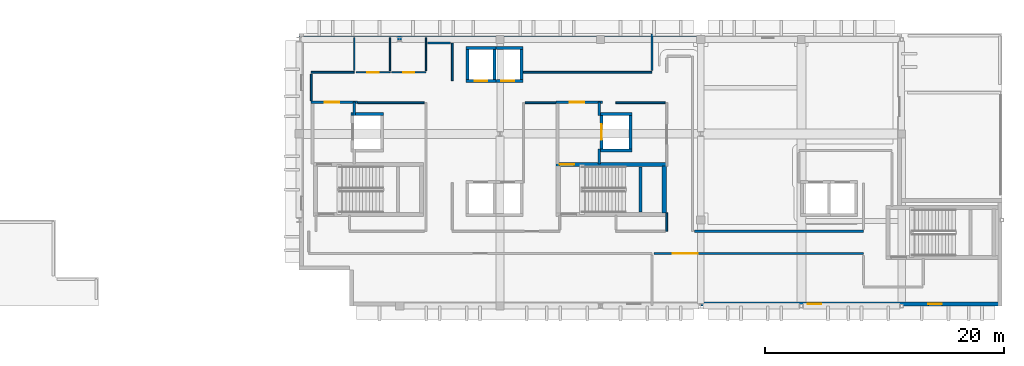
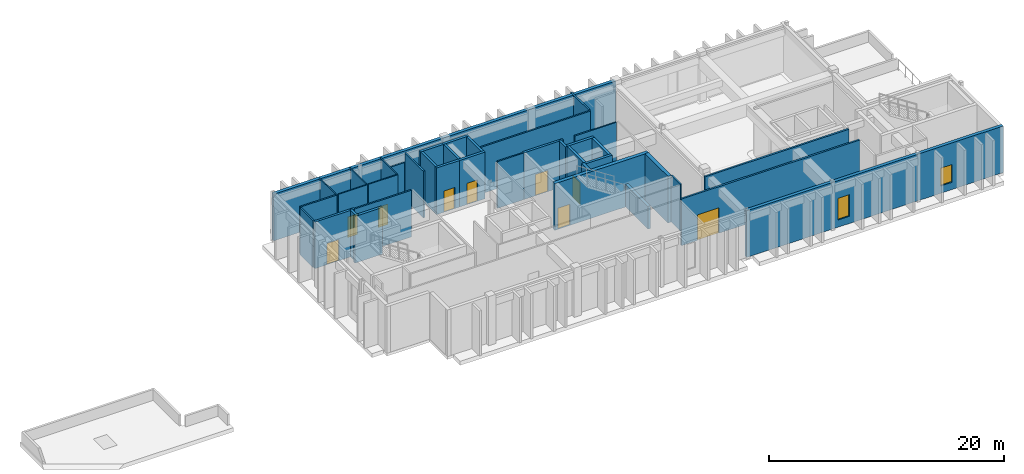
# One storey, part 6 of 9: 39 walls, 9 doors, 2 windows, 11 openings.
"""IFC4 building model written with IfcOpenShell, lengths in metres."""

from ifc_helpers import new_model, si_unit, direction, frame, frame_2d, origin, place, context, subcontext, project, spatial, rectangle, extrude, material, layer, layer_set, type_object, element, fill, save


model = new_model("IFC4")

# Units and contexts
model_context = context("Model", 3, precision=1e-05, world=origin(), true_north=direction((0.0, 1.0)))
body_context = subcontext(model_context, "Body", "Model", "MODEL_VIEW")
ifc_project = project(units=[si_unit("LENGTHUNIT", "METRE"), si_unit("AREAUNIT", "SQUARE_METRE"), si_unit("VOLUMEUNIT", "CUBIC_METRE"), si_unit("PLANEANGLEUNIT", "RADIAN"), si_unit("MASSUNIT", "GRAM", prefix="KILO")], contexts=[model_context])

# Site, building, storey
site_placement = place(None, origin())
site = spatial("IfcSite", under=ifc_project, at=site_placement, CompositionType="ELEMENT")
building_placement = place(site_placement, origin())
building = spatial("IfcBuilding", under=site, at=building_placement, Name="Quendrovan Civic Courthouse", CompositionType="ELEMENT")
storey_placement = place(building_placement, frame((0.0, 0.0, 30.60009765625)))
storey = spatial("IfcBuildingStorey", under=building, at=storey_placement, Name="L07", CompositionType="ELEMENT", Elevation=30.60009765625)

# Walls
ifc_material_1 = material(Name="Acoustic gypsum stud partition")
ifc_layer_1 = layer(ifc_material_1, 0.139892578125, Name="Acoustic gypsum stud partition")
ifc_layer_set_1 = layer_set([ifc_layer_1], Name="Acoustic gypsum stud partition")
wall_type_1 = type_object("IfcWallType", Name="WL-CHM-140", PredefinedType="PARTITIONING", material=ifc_layer_set_1)
wall_1_placement = place(storey_placement, frame((64.35009765625, 95.39990234375, 0.0), z_axis=(0.0, 0.0, 1.0), x_axis=(0.0, -1.0, 0.0)))
element("IfcWall", 1, at=wall_1_placement, inside=storey, type_object=wall_type_1, Name="L07 Judicial Conference Room Partition 0828", PredefinedType="PARTITIONING", context=body_context, shape_type="SweptSolid", body=[
    extrude(rectangle(XDim=1.5498046875, YDim=0.139892578125, at=frame_2d((0.77490234375, 0.0))), origin(), (0.0, 0.0, 1.0), 4.83984375),
])
wall_2_placement = place(storey_placement, frame((60.10009765625, 104.60009765625, 0.0), z_axis=(0.0, 0.0, 1.0), x_axis=(1.0, 0.0, 0.0)))
element("IfcWall", 2, at=wall_2_placement, inside=storey, type_object=wall_type_1, Name="L07 Judicial Conference Room Partition 0837", PredefinedType="PARTITIONING", context=body_context, shape_type="SweptSolid", body=[
    extrude(rectangle(XDim=4.099853515625, YDim=0.139892578125, at=frame_2d((2.0498046875, 0.0))), origin(), (0.0, 0.0, 1.0), 4.83984375),
])
wall_3_placement = place(storey_placement, frame((52.5, 104.60009765625, 0.0), z_axis=(0.0, 0.0, 1.0), x_axis=(1.0, 0.0, 0.0)))
element("IfcWall", 3, at=wall_3_placement, inside=storey, type_object=wall_type_1, Name="L07 Appellate Judges' Chambers Partition 0850", PredefinedType="PARTITIONING", context=body_context, shape_type="SweptSolid", body=[
    extrude(rectangle(XDim=2.580078125, YDim=0.139892578125, at=frame_2d((1.2900390625, 0.0))), origin(), (0.0, 0.0, 1.0), 4.83984375),
])

# Wall, opening, door
ifc_material_2 = material(Name="Concrete C45/55", Category="concrete")
ifc_layer_2 = layer(ifc_material_2, 0.35009765625, Name="Concrete C45/55")
ifc_layer_set_2 = layer_set([ifc_layer_2], Name="Concrete C45/55")
wall_type_2 = type_object("IfcWallType", Name="WL-CORE-350", PredefinedType="SHEAR", material=ifc_layer_set_2)
wall_4_placement = place(storey_placement, frame((64.31005859375, 99.43505859375, 0.0), z_axis=(0.0, 0.0, 1.0), x_axis=(-1.0, 0.0, 0.0)))
wall_4 = element("IfcWall", 4, at=wall_4_placement, inside=storey, type_object=wall_type_2, Name="L07 Core Shear Wall ST2-N", PredefinedType="SHEAR", context=body_context, shape_type="SweptSolid", body=[
    extrude(rectangle(XDim=9.219970703125, YDim=0.35009765625, at=frame_2d((4.60986328125, 0.0))), origin(), (0.0, 0.0, 1.0), 4.83984375),
])
opening_1_placement = place(wall_4_placement, frame((7.719970703125, 0.0, 0.0)))
opening_1 = element("IfcOpeningElement", 5, at=opening_1_placement, cuts=wall_4, Name="Opening DFF-ST2-L07", PredefinedType="OPENING", context=body_context, shape_type="SweptSolid", body=[
    extrude(rectangle(XDim=1.199951171875, YDim=2.199951171875, at=frame_2d((0.60009765625, 1.10009765625))), frame((0.0, 0.18505859375, 0.0), z_axis=(0.0, -1.0, 0.0), x_axis=(1.0, 0.0, 0.0)), (0.0, 0.0, 1.0), 0.3701171875),
])
ifc_material_3 = material(Name="Painted galvanized hollow-metal steel", Category="steel")
door_type_1 = type_object("IfcDoorType", Name="DR-FFLOB-1200", OperationType="NOTDEFINED", PredefinedType="DOOR", material=ifc_material_3)
door_1_placement = place(opening_1_placement, origin())
door_1 = element("IfcDoor", 6, at=door_1_placement, inside=storey, type_object=door_type_1, Name="L07 Firefighting Lobby FL2 Direct Stair ST2 Door", OperationType="SINGLE_SWING_RIGHT", OverallHeight=2.199951171875, OverallWidth=1.199951171875, PredefinedType="DOOR", context=body_context, shape_type="SweptSolid", body=[
    extrude(rectangle(XDim=1.199951171875, YDim=2.199951171875, at=frame_2d((0.60009765625, 1.10009765625))), frame((0.0, 0.02490234375, 0.0), z_axis=(0.0, -1.0, 0.0), x_axis=(1.0, 0.0, 0.0)), (0.0, 0.0, 1.0), 0.050048828125),
])
fill(opening_1, door_1)

# Wall
wall_5_placement = place(storey_placement, frame((64.135009765625, 99.300048828125, 0.0), z_axis=(0.0, 0.0, 1.0), x_axis=(0.0, -1.0, 0.0)))
element("IfcWall", 7, at=wall_5_placement, inside=storey, type_object=wall_type_2, Name="L07 Core Shear Wall ST2-E", PredefinedType="SHEAR", context=body_context, shape_type="SweptSolid", body=[
    extrude(rectangle(XDim=3.900146484375, YDim=0.35009765625, at=frame_2d((1.9501953125, 0.0))), origin(), (0.0, 0.0, 1.0), 4.83984375),
])

# Wall, opening, door
ifc_material_4 = material(Name="Acoustic gypsum and mineral wool partition")
ifc_layer_3 = layer(ifc_material_4, 0.179931640625, Name="Acoustic gypsum and mineral wool partition")
ifc_layer_set_3 = layer_set([ifc_layer_3], Name="Acoustic gypsum and mineral wool partition")
wall_type_3 = type_object("IfcWallType", Name="WL-CRT-AC180", PredefinedType="PARTITIONING", material=ifc_layer_set_3)
wall_6_placement = place(storey_placement, frame((63.264892578125, 92.0, 0.0), z_axis=(0.0, 0.0, 1.0), x_axis=(1.0, 0.0, 0.0)))
wall_6 = element("IfcWall", 8, at=wall_6_placement, inside=storey, type_object=wall_type_3, Name="L07 Appellate Courtroom Partition 0822", PredefinedType="PARTITIONING", context=body_context, shape_type="SweptSolid", body=[
    extrude(rectangle(XDim=17.53515625, YDim=0.179931640625, at=frame_2d((8.767578125, 0.0))), origin(), (0.0, 0.0, 1.0), 4.83984375),
])
opening_2_placement = place(wall_6_placement, frame((1.580078125, 0.0, 0.0)))
opening_2 = element("IfcOpeningElement", 9, at=opening_2_placement, cuts=wall_6, Name="Opening D-L07-117", PredefinedType="OPENING", context=body_context, shape_type="SweptSolid", body=[
    extrude(rectangle(XDim=2.10009765625, YDim=2.64990234375, at=frame_2d((1.050048828125, 1.324951171875))), frame((0.0, 0.10009765625, 0.0), z_axis=(0.0, -1.0, 0.0), x_axis=(1.0, 0.0, 0.0)), (0.0, 0.0, 1.0), 0.199951171875),
])
ifc_material_5 = material(Name="Acoustic solid Western Red Cedar timber door", Category="wood")
door_type_2 = type_object("IfcDoorType", Name="DR-CRT-DBL2100", OperationType="NOTDEFINED", PredefinedType="DOOR", material=ifc_material_5)
door_2_placement = place(opening_2_placement, origin())
door_2 = element("IfcDoor", 10, at=door_2_placement, inside=storey, type_object=door_type_2, Name="L07 Appellate Courtroom Door D-L07-117", OperationType="SINGLE_SWING_RIGHT", OverallHeight=2.64990234375, OverallWidth=2.10009765625, PredefinedType="DOOR", context=body_context, shape_type="SweptSolid", body=[
    extrude(rectangle(XDim=2.10009765625, YDim=2.64990234375, at=frame_2d((1.050048828125, 1.324951171875))), frame((0.0, 0.02490234375, 0.0), z_axis=(0.0, -1.0, 0.0), x_axis=(1.0, 0.0, 0.0)), (0.0, 0.0, 1.0), 0.050048828125),
])
fill(opening_2, door_2)

# Wall
wall_7_placement = place(storey_placement, frame((80.800048828125, 93.85009765625, 0.0), z_axis=(0.0, 0.0, 1.0), x_axis=(-1.0, 0.0, 0.0)))
element("IfcWall", 11, at=wall_7_placement, inside=storey, type_object=wall_type_3, Name="L07 Appellate Courtroom Partition 0824", PredefinedType="PARTITIONING", context=body_context, shape_type="SweptSolid", body=[
    extrude(rectangle(XDim=14.130126953125, YDim=0.179931640625, at=frame_2d((7.06494140625, 0.0))), origin(), (0.0, 0.0, 1.0), 4.83984375),
])

# Wall, openings, windows
ifc_material_6 = material(Name="Precast concrete C45/55", Category="concrete")
ifc_layer_4 = layer(ifc_material_6, 0.320068359375, Name="Precast concrete C45/55")
ifc_layer_set_4 = layer_set([ifc_layer_4], Name="Precast concrete C45/55")
wall_type_4 = type_object("IfcWallType", Name="WL-EXT-PC320", PredefinedType="SOLIDWALL", material=ifc_layer_set_4)
wall_8_placement = place(storey_placement, frame((92.39990234375, 87.780029296875, 0.0), z_axis=(0.0, 0.0, 1.0), x_axis=(-1.0, 0.0, 0.0)))
wall_8 = element("IfcWall", 12, at=wall_8_placement, inside=storey, type_object=wall_type_4, Name="L07 Exterior Precast Concrete Wall 507", PredefinedType="SOLIDWALL", context=body_context, shape_type="SweptSolid", body=[
    extrude(rectangle(XDim=25.199951171875, YDim=0.320068359375, at=frame_2d((12.60009765625, 0.0))), origin(), (0.0, 0.0, 1.0), 4.83984375),
])
opening_3_placement = place(wall_8_placement, frame((5.0400390625, 0.0, 0.75)))
opening_3 = element("IfcOpeningElement", 13, at=opening_3_placement, cuts=wall_8, Name="Opening W16", PredefinedType="OPENING", context=body_context, shape_type="SweptSolid", body=[
    extrude(rectangle(XDim=1.1201171875, YDim=1.85009765625, at=frame_2d((0.56005859375, 0.925048828125))), frame((0.0, 0.169921875, 0.0), z_axis=(0.0, -1.0, 0.0), x_axis=(1.0, 0.0, 0.0)), (0.0, 0.0, 1.0), 0.340087890625),
])
opening_4_placement = place(wall_8_placement, frame((15.1201171875, 0.0, 0.75)))
opening_4 = element("IfcOpeningElement", 14, at=opening_4_placement, cuts=wall_8, Name="Opening W17", PredefinedType="OPENING", context=body_context, shape_type="SweptSolid", body=[
    extrude(rectangle(XDim=1.1201171875, YDim=2.25, at=frame_2d((0.56005859375, 1.125))), frame((0.0, 0.169921875, 0.0), z_axis=(0.0, -1.0, 0.0), x_axis=(1.0, 0.0, 0.0)), (0.0, 0.0, 1.0), 0.340087890625),
])
ifc_material_7 = material(Name="Laminated hurricane-impact low-E glass", Category="glass")
window_type_1 = type_object("IfcWindowType", Name="WIN-SLT-16", PartitioningType="SINGLE_PANEL", PredefinedType="WINDOW", material=ifc_material_7)
window_1_placement = place(opening_3_placement, origin())
window_1 = element("IfcWindow", 15, at=window_1_placement, inside=storey, type_object=window_type_1, Name="L07 Courtroom Shaded Slot Window 0048", OverallHeight=1.85009765625, OverallWidth=1.1201171875, PartitioningType="SINGLE_PANEL", PredefinedType="WINDOW", context=body_context, shape_type="SweptSolid", body=[
    extrude(rectangle(XDim=1.1201171875, YDim=1.85009765625, at=frame_2d((0.56005859375, 0.925048828125))), frame((0.0, 0.030029296875, 0.0), z_axis=(0.0, -1.0, 0.0), x_axis=(1.0, 0.0, 0.0)), (0.0, 0.0, 1.0), 0.06005859375),
])
fill(opening_3, window_1)
window_type_2 = type_object("IfcWindowType", Name="WIN-SLT-17", PartitioningType="SINGLE_PANEL", PredefinedType="WINDOW", material=ifc_material_7)
window_2_placement = place(opening_4_placement, origin())
window_2 = element("IfcWindow", 16, at=window_2_placement, inside=storey, type_object=window_type_2, Name="L07 Courtroom Shaded Slot Window 0049", OverallHeight=2.25, OverallWidth=1.1201171875, PartitioningType="SINGLE_PANEL", PredefinedType="WINDOW", context=body_context, shape_type="SweptSolid", body=[
    extrude(rectangle(XDim=1.1201171875, YDim=2.25, at=frame_2d((0.56005859375, 1.125))), frame((0.0, 0.030029296875, 0.0), z_axis=(0.0, -1.0, 0.0), x_axis=(1.0, 0.0, 0.0)), (0.0, 0.0, 1.0), 0.06005859375),
])
fill(opening_4, window_2)

# Wall
wall_9_placement = place(storey_placement, frame((33.60009765625, 110.02001953125, 0.0), z_axis=(0.0, 0.0, 1.0), x_axis=(1.0, 0.0, 0.0)))
element("IfcWall", 17, at=wall_9_placement, inside=storey, type_object=wall_type_4, Name="L07 Exterior Precast Concrete Wall 512", PredefinedType="SOLIDWALL", context=body_context, shape_type="SweptSolid", body=[
    extrude(rectangle(XDim=33.599853515625, YDim=0.320068359375, at=frame_2d((16.7998046875, 0.0))), origin(), (0.0, 0.0, 1.0), 4.83984375),
])

# Wall, opening, door
ifc_material_8 = material(Name="Concrete C40/50", Category="concrete")
ifc_layer_5 = layer(ifc_material_8, 0.22998046875, Name="Concrete C40/50")
ifc_layer_set_5 = layer_set([ifc_layer_5], Name="Concrete C40/50")
wall_type_5 = type_object("IfcWallType", Name="WL-FFLOB-230", PredefinedType="PARTITIONING", material=ifc_layer_set_5)
wall_10_placement = place(storey_placement, frame((34.590087890625, 104.64990234375, 0.0), z_axis=(0.0, 0.0, 1.0), x_axis=(1.0, 0.0, 0.0)))
wall_10 = element("IfcWall", 18, at=wall_10_placement, inside=storey, type_object=wall_type_5, Name="L07 Firefighting Lift Lobby FL1 Wall N", PredefinedType="PARTITIONING", context=body_context, shape_type="SweptSolid", body=[
    extrude(rectangle(XDim=3.889892578125, YDim=0.22998046875, at=frame_2d((1.94482421875, 0.0))), origin(), (0.0, 0.0, 1.0), 4.83984375),
])
opening_5_placement = place(wall_10_placement, frame((1.14990234375, 0.0, 0.0)))
opening_5 = element("IfcOpeningElement", 19, at=opening_5_placement, cuts=wall_10, Name="Opening DF-FL1-L07N", PredefinedType="OPENING", context=body_context, shape_type="SweptSolid", body=[
    extrude(rectangle(XDim=1.199951171875, YDim=2.199951171875, at=frame_2d((0.60009765625, 1.10009765625))), frame((0.0, 0.125, 0.0), z_axis=(0.0, -1.0, 0.0), x_axis=(1.0, 0.0, 0.0)), (0.0, 0.0, 1.0), 0.25),
])
door_3_placement = place(opening_5_placement, origin())
door_3 = element("IfcDoor", 20, at=door_3_placement, inside=storey, type_object=door_type_1, Name="L07 Firefighting Lobby FL1 Fire Door N", OperationType="SINGLE_SWING_LEFT", OverallHeight=2.199951171875, OverallWidth=1.199951171875, PredefinedType="DOOR", context=body_context, shape_type="SweptSolid", body=[
    extrude(rectangle(XDim=1.199951171875, YDim=2.199951171875, at=frame_2d((0.60009765625, 1.10009765625))), frame((0.0, 0.02490234375, 0.0), z_axis=(0.0, -1.0, 0.0), x_axis=(1.0, 0.0, 0.0)), (0.0, 0.0, 1.0), 0.050048828125),
])
fill(opening_5, door_3)

# Wall
wall_11_placement = place(storey_placement, frame((38.199951171875, 104.64990234375, 0.0), z_axis=(0.0, 0.0, 1.0), x_axis=(0.0, -1.0, 0.0)))
element("IfcWall", 21, at=wall_11_placement, inside=storey, type_object=wall_type_5, Name="L07 Firefighting Lift Lobby FL1 Wall EN", PredefinedType="PARTITIONING", context=body_context, shape_type="SweptSolid", body=[
    extrude(rectangle(XDim=1.099853515625, YDim=0.22998046875, at=frame_2d((0.5498046875, 0.0))), origin(), (0.0, 0.0, 1.0), 4.83984375),
])

# Wall, opening, door
wall_12_placement = place(storey_placement, frame((55.090087890625, 104.64990234375, 0.0), z_axis=(0.0, 0.0, 1.0), x_axis=(1.0, 0.0, 0.0)))
wall_12 = element("IfcWall", 22, at=wall_12_placement, inside=storey, type_object=wall_type_5, Name="L07 Firefighting Lift Lobby FL2 Wall N", PredefinedType="PARTITIONING", context=body_context, shape_type="SweptSolid", body=[
    extrude(rectangle(XDim=3.889892578125, YDim=0.22998046875, at=frame_2d((1.94482421875, 0.0))), origin(), (0.0, 0.0, 1.0), 4.83984375),
])
opening_6_placement = place(wall_12_placement, frame((1.14990234375, 0.0, 0.0)))
opening_6 = element("IfcOpeningElement", 23, at=opening_6_placement, cuts=wall_12, Name="Opening DF-FL2-L07N", PredefinedType="OPENING", context=body_context, shape_type="SweptSolid", body=[
    extrude(rectangle(XDim=1.199951171875, YDim=2.199951171875, at=frame_2d((0.60009765625, 1.10009765625))), frame((0.0, 0.125, 0.0), z_axis=(0.0, -1.0, 0.0), x_axis=(1.0, 0.0, 0.0)), (0.0, 0.0, 1.0), 0.25),
])
door_4_placement = place(opening_6_placement, origin())
door_4 = element("IfcDoor", 24, at=door_4_placement, inside=storey, type_object=door_type_1, Name="L07 Firefighting Lobby FL2 Fire Door N", OperationType="SINGLE_SWING_LEFT", OverallHeight=2.199951171875, OverallWidth=1.199951171875, PredefinedType="DOOR", context=body_context, shape_type="SweptSolid", body=[
    extrude(rectangle(XDim=1.199951171875, YDim=2.199951171875, at=frame_2d((0.60009765625, 1.10009765625))), frame((0.0, 0.02490234375, 0.0), z_axis=(0.0, -1.0, 0.0), x_axis=(1.0, 0.0, 0.0)), (0.0, 0.0, 1.0), 0.050048828125),
])
fill(opening_6, door_4)

# Walls
wall_13_placement = place(storey_placement, frame((58.699951171875, 104.64990234375, 0.0), z_axis=(0.0, 0.0, 1.0), x_axis=(0.0, -1.0, 0.0)))
element("IfcWall", 25, at=wall_13_placement, inside=storey, type_object=wall_type_5, Name="L07 Firefighting Lift Lobby FL2 Wall EN", PredefinedType="PARTITIONING", context=body_context, shape_type="SweptSolid", body=[
    extrude(rectangle(XDim=1.099853515625, YDim=0.22998046875, at=frame_2d((0.5498046875, 0.0))), origin(), (0.0, 0.0, 1.0), 4.83984375),
])
wall_14_placement = place(storey_placement, frame((58.699951171875, 100.75, 0.0), z_axis=(0.0, 0.0, 1.0), x_axis=(0.0, -1.0, 0.0)))
element("IfcWall", 26, at=wall_14_placement, inside=storey, type_object=wall_type_5, Name="L07 Firefighting Lift Lobby FL2 Wall ES", PredefinedType="PARTITIONING", context=body_context, shape_type="SweptSolid", body=[
    extrude(rectangle(XDim=1.25, YDim=0.22998046875, at=frame_2d((0.625, 0.0))), origin(), (0.0, 0.0, 1.0), 4.83984375),
])
ifc_layer_6 = layer(ifc_material_1, 0.14990234375, Name="Acoustic gypsum stud partition")
ifc_layer_set_6 = layer_set([ifc_layer_6], Name="Acoustic gypsum stud partition")
wall_type_6 = type_object("IfcWallType", Name="WL-JURY-150", PredefinedType="PARTITIONING", material=ifc_layer_set_6)
wall_15_placement = place(storey_placement, frame((63.110107421875, 107.14990234375, 0.0), z_axis=(0.0, 0.0, 1.0), x_axis=(-1.0, 0.0, 0.0)))
element("IfcWall", 27, at=wall_15_placement, inside=storey, type_object=wall_type_6, Name="L07 Jury Room Partition 0825", PredefinedType="PARTITIONING", context=body_context, shape_type="SweptSolid", body=[
    extrude(rectangle(XDim=10.760009765625, YDim=0.14990234375, at=frame_2d((5.3798828125, 0.0))), origin(), (0.0, 0.0, 1.0), 4.83984375),
])
wall_16_placement = place(storey_placement, frame((38.47998046875, 104.60009765625, 0.0), z_axis=(0.0, 0.0, 1.0), x_axis=(1.0, 0.0, 0.0)))
element("IfcWall", 28, at=wall_16_placement, inside=storey, type_object=wall_type_6, Name="L07 Jury Room Partition 0833", PredefinedType="PARTITIONING", context=body_context, shape_type="SweptSolid", body=[
    extrude(rectangle(XDim=5.56494140625, YDim=0.14990234375, at=frame_2d((2.782470703125, 0.0))), origin(), (0.0, 0.0, 1.0), 4.83984375),
])
wall_17_placement = place(storey_placement, frame((38.199951171875, 107.14990234375, 0.0), z_axis=(0.0, 0.0, 1.0), x_axis=(-1.0, 0.0, 0.0)))
element("IfcWall", 29, at=wall_17_placement, inside=storey, type_object=wall_type_6, Name="L07 Jury Room Partition 0841", PredefinedType="PARTITIONING", context=body_context, shape_type="SweptSolid", body=[
    extrude(rectangle(XDim=3.599853515625, YDim=0.14990234375, at=frame_2d((1.7998046875, 0.0))), origin(), (0.0, 0.0, 1.0), 4.83984375),
])
wall_18_placement = place(storey_placement, frame((63.110107421875, 110.340087890625, 0.0), z_axis=(0.0, 0.0, 1.0), x_axis=(0.0, -1.0, 0.0)))
element("IfcWall", 30, at=wall_18_placement, inside=storey, type_object=wall_type_6, Name="L07 Jury Room Partition 0842", PredefinedType="PARTITIONING", context=body_context, shape_type="SweptSolid", body=[
    extrude(rectangle(XDim=3.03515625, YDim=0.14990234375, at=frame_2d((1.517578125, 0.0))), origin(), (0.0, 0.0, 1.0), 4.83984375),
])
wall_19_placement = place(storey_placement, frame((46.39990234375, 106.449951171875, 0.0), z_axis=(0.0, 0.0, 1.0), x_axis=(0.0, 1.0, 0.0)))
element("IfcWall", 31, at=wall_19_placement, inside=storey, type_object=wall_type_6, Name="L07 Jury Room Partition 0843", PredefinedType="PARTITIONING", context=body_context, shape_type="SweptSolid", body=[
    extrude(rectangle(XDim=3.150146484375, YDim=0.14990234375, at=frame_2d((1.5751953125, 0.0))), origin(), (0.0, 0.0, 1.0), 4.83984375),
])
wall_20_placement = place(storey_placement, frame((34.60009765625, 106.9951171875, 0.0), z_axis=(0.0, 0.0, 1.0), x_axis=(0.0, -1.0, 0.0)))
element("IfcWall", 32, at=wall_20_placement, inside=storey, type_object=wall_type_6, Name="L07 Jury Room Partition 0852", PredefinedType="PARTITIONING", context=body_context, shape_type="SweptSolid", body=[
    extrude(rectangle(XDim=2.22509765625, YDim=0.14990234375, at=frame_2d((1.112548828125, 0.0))), origin(), (0.0, 0.0, 1.0), 4.83984375),
])
wall_21_placement = place(storey_placement, frame((46.2451171875, 109.60009765625, 0.0), z_axis=(0.0, 0.0, 1.0), x_axis=(-1.0, 0.0, 0.0)))
element("IfcWall", 33, at=wall_21_placement, inside=storey, type_object=wall_type_6, Name="L07 Jury Room Partition 0854", PredefinedType="PARTITIONING", context=body_context, shape_type="SweptSolid", body=[
    extrude(rectangle(XDim=1.91015625, YDim=0.14990234375, at=frame_2d((0.955078125, 0.0))), origin(), (0.0, 0.0, 1.0), 3.89990234375),
])
ifc_layer_7 = layer(ifc_material_2, 0.25, Name="Concrete C45/55")
ifc_layer_set_7 = layer_set([ifc_layer_7], Name="Concrete C45/55")
wall_type_7 = type_object("IfcWallType", Name="WL-SHAFT-250", PredefinedType="SHEAR", material=ifc_layer_set_7)
wall_22_placement = place(storey_placement, frame((62.14990234375, 95.449951171875, 0.0), z_axis=(0.0, 0.0, 1.0), x_axis=(0.0, 1.0, 0.0)))
element("IfcWall", 34, at=wall_22_placement, inside=storey, type_object=wall_type_7, Name="L07 Stair ST2 Mid-Landing Bearing Wall", PredefinedType="SHEAR", context=body_context, shape_type="SweptSolid", body=[
    extrude(rectangle(XDim=3.800048828125, YDim=0.25, at=frame_2d((1.89990234375, 0.0))), origin(), (0.0, 0.0, 1.0), 2.369873046875),
])

# Wall, opening, door
wall_23_placement = place(storey_placement, frame((47.550048828125, 106.425048828125, 0.0), z_axis=(0.0, 0.0, 1.0), x_axis=(1.0, 0.0, 0.0)))
wall_23 = element("IfcWall", 35, at=wall_23_placement, inside=storey, type_object=wall_type_7, Name="L07 Lift Hoistway Wall JL1 -Y", PredefinedType="SHEAR", context=body_context, shape_type="SweptSolid", body=[
    extrude(rectangle(XDim=2.5, YDim=0.25, at=frame_2d((1.25, 0.0))), origin(), (0.0, 0.0, 1.0), 4.83984375),
])
opening_7_placement = place(wall_23_placement, frame((0.719970703125, 0.0, 0.0)))
opening_7 = element("IfcOpeningElement", 36, at=opening_7_placement, cuts=wall_23, Name="Opening LD-JL1-L07", PredefinedType="OPENING", context=body_context, shape_type="SweptSolid", body=[
    extrude(rectangle(XDim=1.06005859375, YDim=2.199951171875, at=frame_2d((0.530029296875, 1.10009765625))), frame((0.0, 0.135009765625, 0.0), z_axis=(0.0, -1.0, 0.0), x_axis=(1.0, 0.0, 0.0)), (0.0, 0.0, 1.0), 0.27001953125),
])
ifc_material_9 = material(Name="Brushed bronze-anodised stainless steel", Category="steel")
door_type_3 = type_object("IfcDoorType", Name="DR-LIFT-LD-JL", OperationType="NOTDEFINED", PredefinedType="DOOR", material=ifc_material_9)
door_5_placement = place(opening_7_placement, origin())
door_5 = element("IfcDoor", 37, at=door_5_placement, inside=storey, type_object=door_type_3, Name="L07 Lift JL1 Sliding Landing Door", OperationType="SLIDING_TO_RIGHT", OverallHeight=2.199951171875, OverallWidth=1.06005859375, PredefinedType="DOOR", context=body_context, shape_type="SweptSolid", body=[
    extrude(rectangle(XDim=1.06005859375, YDim=2.199951171875, at=frame_2d((0.530029296875, 1.10009765625))), frame((0.0, 0.02490234375, 0.0), z_axis=(0.0, -1.0, 0.0), x_axis=(1.0, 0.0, 0.0)), (0.0, 0.0, 1.0), 0.050048828125),
])
fill(opening_7, door_5)

# Walls
for number, where, z_axis, x_axis, name in (
    (38, (50.050048828125, 109.175048828125, 0.0), (0.0, 0.0, 1.0), (-1.0, 0.0, 0.0), "L07 Lift Hoistway Wall JL1 +Y"),
    (39, (47.675048828125, 106.550048828125, 0.0), (0.0, 0.0, 1.0), (0.0, 1.0, 0.0), "L07 Lift Hoistway Wall JL1 -X"),
    (40, (49.925048828125, 109.050048828125, 0.0), (0.0, 0.0, 1.0), (0.0, -1.0, 0.0), "L07 Lift Hoistway Wall JL1 +X"),
):
    element("IfcWall", number, at=place(storey_placement, frame(where, z_axis=z_axis, x_axis=x_axis)), inside=storey, type_object=wall_type_7, Name=name, PredefinedType="SHEAR", context=body_context, shape_type="SweptSolid", body=[
        extrude(rectangle(XDim=2.5, YDim=0.25, at=frame_2d((1.25, 0.0))), origin(), (0.0, 0.0, 1.0), 4.83984375),
    ])

# Wall, opening, door
wall_24_placement = place(storey_placement, frame((49.800048828125, 106.425048828125, 0.0), z_axis=(0.0, 0.0, 1.0), x_axis=(1.0, 0.0, 0.0)))
wall_24 = element("IfcWall", 41, at=wall_24_placement, inside=storey, type_object=wall_type_7, Name="L07 Lift Hoistway Wall JL2 -Y", PredefinedType="SHEAR", context=body_context, shape_type="SweptSolid", body=[
    extrude(rectangle(XDim=2.5, YDim=0.25, at=frame_2d((1.25, 0.0))), origin(), (0.0, 0.0, 1.0), 4.83984375),
])
opening_8_placement = place(wall_24_placement, frame((0.719970703125, 0.0, 0.0)))
opening_8 = element("IfcOpeningElement", 42, at=opening_8_placement, cuts=wall_24, Name="Opening LD-JL2-L07", PredefinedType="OPENING", context=body_context, shape_type="SweptSolid", body=[
    extrude(rectangle(XDim=1.06005859375, YDim=2.199951171875, at=frame_2d((0.530029296875, 1.10009765625))), frame((0.0, 0.135009765625, 0.0), z_axis=(0.0, -1.0, 0.0), x_axis=(1.0, 0.0, 0.0)), (0.0, 0.0, 1.0), 0.27001953125),
])
door_6_placement = place(opening_8_placement, origin())
door_6 = element("IfcDoor", 43, at=door_6_placement, inside=storey, type_object=door_type_3, Name="L07 Lift JL2 Sliding Landing Door", OperationType="SLIDING_TO_RIGHT", OverallHeight=2.199951171875, OverallWidth=1.06005859375, PredefinedType="DOOR", context=body_context, shape_type="SweptSolid", body=[
    extrude(rectangle(XDim=1.06005859375, YDim=2.199951171875, at=frame_2d((0.530029296875, 1.10009765625))), frame((0.0, 0.02490234375, 0.0), z_axis=(0.0, -1.0, 0.0), x_axis=(1.0, 0.0, 0.0)), (0.0, 0.0, 1.0), 0.050048828125),
])
fill(opening_8, door_6)

# Walls
for number, where, z_axis, x_axis, name in (
    (44, (52.300048828125, 109.175048828125, 0.0), (0.0, 0.0, 1.0), (-1.0, 0.0, 0.0), "L07 Lift Hoistway Wall JL2 +Y"),
    (45, (52.175048828125, 109.050048828125, 0.0), (0.0, 0.0, 1.0), (0.0, -1.0, 0.0), "L07 Lift Hoistway Wall JL2 +X"),
):
    element("IfcWall", number, at=place(storey_placement, frame(where, z_axis=z_axis, x_axis=x_axis)), inside=storey, type_object=wall_type_7, Name=name, PredefinedType="SHEAR", context=body_context, shape_type="SweptSolid", body=[
        extrude(rectangle(XDim=2.5, YDim=0.25, at=frame_2d((1.25, 0.0))), origin(), (0.0, 0.0, 1.0), 4.83984375),
    ])
for number, where, z_axis, x_axis, name in (
    (46, (40.64990234375, 103.675048828125, 0.0), (0.0, 0.0, 1.0), (-1.0, 0.0, 0.0), "L07 Lift Hoistway Wall FL1 +Y"),
    (47, (58.75, 100.625, 0.0), (0.0, 0.0, 1.0), (1.0, 0.0, 0.0), "L07 Lift Hoistway Wall FL2 -Y"),
    (48, (61.449951171875, 103.675048828125, 0.0), (0.0, 0.0, 1.0), (-1.0, 0.0, 0.0), "L07 Lift Hoistway Wall FL2 +Y"),
):
    element("IfcWall", number, at=place(storey_placement, frame(where, z_axis=z_axis, x_axis=x_axis)), inside=storey, type_object=wall_type_7, Name=name, PredefinedType="SHEAR", context=body_context, shape_type="SweptSolid", body=[
        extrude(rectangle(XDim=2.699951171875, YDim=0.25, at=frame_2d((1.35009765625, 0.0))), origin(), (0.0, 0.0, 1.0), 4.83984375),
    ])

# Wall, opening, door
wall_25_placement = place(storey_placement, frame((58.875, 100.75, 0.0), z_axis=(0.0, 0.0, 1.0), x_axis=(0.0, 1.0, 0.0)))
wall_25 = element("IfcWall", 49, at=wall_25_placement, inside=storey, type_object=wall_type_7, Name="L07 Lift Hoistway Wall FL2 -X", PredefinedType="SHEAR", context=body_context, shape_type="SweptSolid", body=[
    extrude(rectangle(XDim=2.800048828125, YDim=0.25, at=frame_2d((1.39990234375, 0.0))), origin(), (0.0, 0.0, 1.0), 4.83984375),
])
opening_9_placement = place(wall_25_placement, frame((0.75, 0.0, 0.0)))
opening_9 = element("IfcOpeningElement", 50, at=opening_9_placement, cuts=wall_25, Name="Opening LD-FL2-L07", PredefinedType="OPENING", context=body_context, shape_type="SweptSolid", body=[
    extrude(rectangle(XDim=1.300048828125, YDim=2.25, at=frame_2d((0.64990234375, 1.125))), frame((0.0, 0.135009765625, 0.0), z_axis=(0.0, -1.0, 0.0), x_axis=(1.0, 0.0, 0.0)), (0.0, 0.0, 1.0), 0.27001953125),
])
ifc_material_10 = material(Name="Smoke-tight fire-service stainless steel", Category="steel")
door_type_4 = type_object("IfcDoorType", Name="DR-LIFT-LD-FL", OperationType="NOTDEFINED", PredefinedType="DOOR", material=ifc_material_10)
door_7_placement = place(opening_9_placement, origin())
door_7 = element("IfcDoor", 51, at=door_7_placement, inside=storey, type_object=door_type_4, Name="L07 Lift FL2 Sliding Landing Door", OperationType="SLIDING_TO_RIGHT", OverallHeight=2.25, OverallWidth=1.300048828125, PredefinedType="DOOR", context=body_context, shape_type="SweptSolid", body=[
    extrude(rectangle(XDim=1.300048828125, YDim=2.25, at=frame_2d((0.64990234375, 1.125))), frame((0.0, 0.02490234375, 0.0), z_axis=(0.0, -1.0, 0.0), x_axis=(1.0, 0.0, 0.0)), (0.0, 0.0, 1.0), 0.050048828125),
])
fill(opening_9, door_7)

# Wall
wall_26_placement = place(storey_placement, frame((61.324951171875, 103.550048828125, 0.0), z_axis=(0.0, 0.0, 1.0), x_axis=(0.0, -1.0, 0.0)))
element("IfcWall", 52, at=wall_26_placement, inside=storey, type_object=wall_type_7, Name="L07 Lift Hoistway Wall FL2 +X", PredefinedType="SHEAR", context=body_context, shape_type="SweptSolid", body=[
    extrude(rectangle(XDim=2.800048828125, YDim=0.25, at=frame_2d((1.39990234375, 0.0))), origin(), (0.0, 0.0, 1.0), 4.83984375),
])

# Wall, opening, door
ifc_material_11 = material(Name="Moisture-resistant tile-backer partition")
ifc_layer_8 = layer(ifc_material_11, 0.110107421875, Name="Moisture-resistant tile-backer partition")
ifc_layer_set_8 = layer_set([ifc_layer_8], Name="Moisture-resistant tile-backer partition")
wall_type_8 = type_object("IfcWallType", Name="WL-WET-110", PredefinedType="PARTITIONING", material=ifc_layer_set_8)
wall_27_placement = place(storey_placement, frame((41.199951171875, 107.14990234375, 0.0), z_axis=(0.0, 0.0, 1.0), x_axis=(-1.0, 0.0, 0.0)))
wall_27 = element("IfcWall", 53, at=wall_27_placement, inside=storey, type_object=wall_type_8, Name="L07 L07 Accessible WC Partition 0844", PredefinedType="PARTITIONING", context=body_context, shape_type="SweptSolid", body=[
    extrude(rectangle(XDim=2.844970703125, YDim=0.110107421875, at=frame_2d((1.42236328125, 0.0))), origin(), (0.0, 0.0, 1.0), 4.83984375),
])
opening_10_placement = place(wall_27_placement, frame((0.9423828125, 0.0, 0.0)))
opening_10 = element("IfcOpeningElement", 54, at=opening_10_placement, cuts=wall_27, Name="Opening D-L07-114", PredefinedType="OPENING", context=body_context, shape_type="SweptSolid", body=[
    extrude(rectangle(XDim=0.9599609375, YDim=2.139892578125, at=frame_2d((0.47998046875, 1.06982421875))), frame((0.0, 0.06494140625, 0.0), z_axis=(0.0, -1.0, 0.0), x_axis=(1.0, 0.0, 0.0)), (0.0, 0.0, 1.0), 0.130126953125),
])
ifc_material_12 = material(Name="Moisture-resistant laminate timber door", Category="wood")
door_type_5 = type_object("IfcDoorType", Name="DR-WC-ACC-960", OperationType="NOTDEFINED", PredefinedType="DOOR", material=ifc_material_12)
door_8_placement = place(opening_10_placement, origin())
door_8 = element("IfcDoor", 55, at=door_8_placement, inside=storey, type_object=door_type_5, Name="L07 L07 Accessible WC Door D-L07-114", OperationType="SINGLE_SWING_LEFT", OverallHeight=2.139892578125, OverallWidth=0.9599609375, PredefinedType="DOOR", context=body_context, shape_type="SweptSolid", body=[
    extrude(rectangle(XDim=0.9599609375, YDim=2.139892578125, at=frame_2d((0.47998046875, 1.06982421875))), frame((0.0, 0.02490234375, 0.0), z_axis=(0.0, -1.0, 0.0), x_axis=(1.0, 0.0, 0.0)), (0.0, 0.0, 1.0), 0.050048828125),
])
fill(opening_10, door_8)

wall_28_placement = place(storey_placement, frame((44.199951171875, 107.14990234375, 0.0), z_axis=(0.0, 0.0, 1.0), x_axis=(-1.0, 0.0, 0.0)))
wall_28 = element("IfcWall", 56, at=wall_28_placement, inside=storey, type_object=wall_type_8, Name="L07 L07 Judicial and Public Restroom Partition 0845", PredefinedType="PARTITIONING", context=body_context, shape_type="SweptSolid", body=[
    extrude(rectangle(XDim=2.864990234375, YDim=0.110107421875, at=frame_2d((1.4326171875, 0.0))), origin(), (0.0, 0.0, 1.0), 4.83984375),
])
opening_11_placement = place(wall_28_placement, frame((0.972412109375, 0.0, 0.0)))
opening_11 = element("IfcOpeningElement", 57, at=opening_11_placement, cuts=wall_28, Name="Opening D-L07-115", PredefinedType="OPENING", context=body_context, shape_type="SweptSolid", body=[
    extrude(rectangle(XDim=0.919921875, YDim=2.1201171875, at=frame_2d((0.4599609375, 1.06005859375))), frame((0.0, 0.06494140625, 0.0), z_axis=(0.0, -1.0, 0.0), x_axis=(1.0, 0.0, 0.0)), (0.0, 0.0, 1.0), 0.130126953125),
])
door_type_6 = type_object("IfcDoorType", Name="DR-WC-STD-920", OperationType="NOTDEFINED", PredefinedType="DOOR", material=ifc_material_12)
door_9_placement = place(opening_11_placement, origin())
door_9 = element("IfcDoor", 58, at=door_9_placement, inside=storey, type_object=door_type_6, Name="L07 L07 Judicial and Public Restroom Door D-L07-115", OperationType="SINGLE_SWING_RIGHT", OverallHeight=2.1201171875, OverallWidth=0.919921875, PredefinedType="DOOR", context=body_context, shape_type="SweptSolid", body=[
    extrude(rectangle(XDim=0.919921875, YDim=2.1201171875, at=frame_2d((0.4599609375, 1.06005859375))), frame((0.0, 0.02490234375, 0.0), z_axis=(0.0, -1.0, 0.0), x_axis=(1.0, 0.0, 0.0)), (0.0, 0.0, 1.0), 0.050048828125),
])
fill(opening_11, door_9)

# Walls
wall_29_placement = place(storey_placement, frame((41.199951171875, 110.050048828125, 0.0), z_axis=(0.0, 0.0, 1.0), x_axis=(0.0, -1.0, 0.0)))
element("IfcWall", 59, at=wall_29_placement, inside=storey, type_object=wall_type_8, Name="L07 L07 Accessible WC Partition 0846", PredefinedType="PARTITIONING", context=body_context, shape_type="SweptSolid", body=[
    extrude(rectangle(XDim=2.76513671875, YDim=0.110107421875, at=frame_2d((1.382568359375, 0.0))), origin(), (0.0, 0.0, 1.0), 4.83984375),
])
wall_30_placement = place(storey_placement, frame((38.199951171875, 107.304931640625, 0.0), z_axis=(0.0, 0.0, 1.0), x_axis=(0.0, 1.0, 0.0)))
element("IfcWall", 60, at=wall_30_placement, inside=storey, type_object=wall_type_8, Name="L07 L07 Accessible WC Partition 0847", PredefinedType="PARTITIONING", context=body_context, shape_type="SweptSolid", body=[
    extrude(rectangle(XDim=2.7451171875, YDim=0.110107421875, at=frame_2d((1.37255859375, 0.0))), origin(), (0.0, 0.0, 1.0), 4.83984375),
])
wall_31_placement = place(storey_placement, frame((44.199951171875, 110.050048828125, 0.0), z_axis=(0.0, 0.0, 1.0), x_axis=(0.0, -1.0, 0.0)))
element("IfcWall", 61, at=wall_31_placement, inside=storey, type_object=wall_type_8, Name="L07 L07 Judicial and Public Restroom Partition 0848", PredefinedType="PARTITIONING", context=body_context, shape_type="SweptSolid", body=[
    extrude(rectangle(XDim=2.76513671875, YDim=0.110107421875, at=frame_2d((1.382568359375, 0.0))), origin(), (0.0, 0.0, 1.0), 4.83984375),
])

save(model, "model.ifc")
